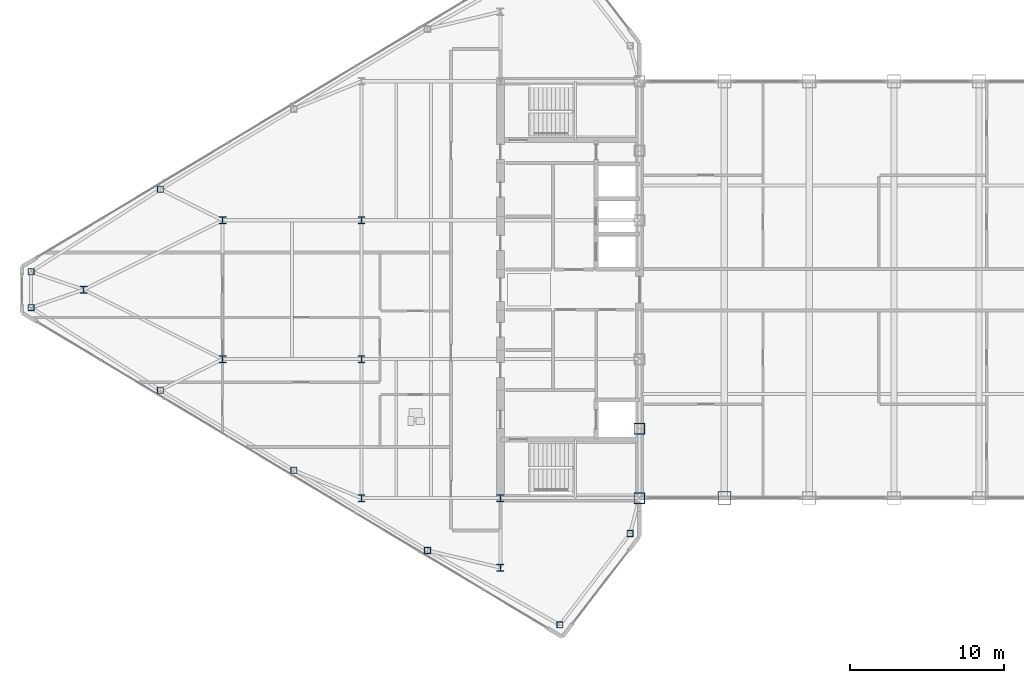
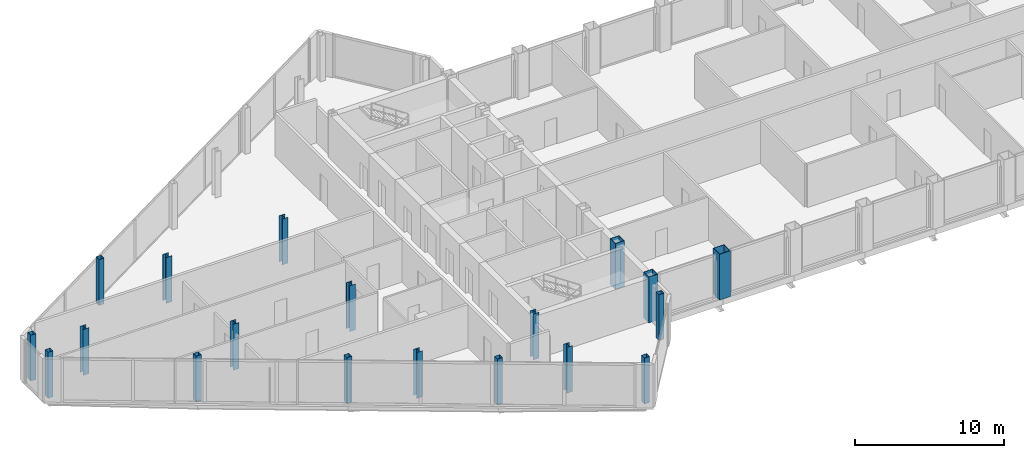
# One storey, part 1 of 29: 19 columns.
"""IFC4 building model written with IfcOpenShell, lengths in metres."""

import ifcopenshell
import ifcopenshell.guid

model = None  # the IFC model being written
_history = None  # IfcOwnerHistory: only IFC2X3 demands one
_inside = {}  # id of a spatial element -> (the spatial element, [elements in it])
_under = {}  # id of a project, library or spatial element -> (it, [spatial elements below it])
_declared = {}  # id of a project -> (the project, [libraries it declares])
_typed = {}  # id of a type object -> (the type object, [elements of that type])
_made_of = {}  # id of a material, layer set ... -> (it, [elements and type objects made of it])


def new_model(schema):
    """Start an empty IFC model of exactly this schema.

    Asked for "IFC4X3", IfcOpenShell would pick the latest addendum, in which some entities
    have other attributes; the version numbers below select the first issue.
    IFC2X3 requires an IfcOwnerHistory on every rooted entity: one is made here for all.
    """
    global model, _history
    if schema == "IFC4X3":
        model = ifcopenshell.file(schema_version=(4, 3, 0, 0))
    else:
        model = ifcopenshell.file(schema=schema)
    _inside.clear()
    _under.clear()
    _declared.clear()
    _typed.clear()
    _made_of.clear()
    _history = None
    if model.schema == "IFC2X3":
        org = make("IfcOrganization", Name="unknown")
        user = make(
            "IfcPersonAndOrganization",
            ThePerson=make("IfcPerson", FamilyName="unknown"),
            TheOrganization=org,
        )
        app = make(
            "IfcApplication",
            ApplicationDeveloper=org,
            Version="unknown",
            ApplicationFullName="unknown",
            ApplicationIdentifier="unknown",
        )
        _history = make(
            "IfcOwnerHistory",
            OwningUser=user,
            OwningApplication=app,
            ChangeAction="ADDED",
            CreationDate=0,
        )
    return model


def make(cls, **values):
    """One entity of the class cls with the attributes given. An attribute that is None is left unset."""
    return model.create_entity(
        cls, **{name: value for name, value in values.items() if value is not None}
    )


def rooted(cls, **values):
    """An entity with a GlobalId (a new one), such as an element, a storey or a relation."""
    return make(cls, GlobalId=ifcopenshell.guid.new(), OwnerHistory=_history, **values)


def si_unit(unit_type, name, prefix=None):
    """IfcSIUnit, for example si_unit("LENGTHUNIT", "METRE", prefix="MILLI")."""
    return make("IfcSIUnit", UnitType=unit_type, Prefix=prefix, Name=name)


def assignment(units):
    """IfcUnitAssignment: the units of a project."""
    return None if units is None else make("IfcUnitAssignment", Units=units)


def point(xyz):
    """IfcCartesianPoint."""
    return None if xyz is None else make("IfcCartesianPoint", Coordinates=xyz)


def direction(xyz):
    """IfcDirection."""
    return None if xyz is None else make("IfcDirection", DirectionRatios=xyz)


def frame(location, z_axis=None, x_axis=None):
    """IfcAxis2Placement3D, a coordinate frame: its origin and axes. An axis left out is left unset."""
    return make(
        "IfcAxis2Placement3D",
        Location=point(location),
        Axis=direction(z_axis),
        RefDirection=direction(x_axis),
    )


def frame_2d(location, x_axis=None):
    """IfcAxis2Placement2D, a coordinate frame in the plane: its origin and x axis."""
    return make(
        "IfcAxis2Placement2D", Location=point(location), RefDirection=direction(x_axis)
    )


def origin():
    """The frame at (0, 0, 0) with its axes left unset."""
    return frame((0.0, 0.0, 0.0))


def origin_2d():
    """The frame at (0, 0) in the plane with its x axis left unset."""
    return frame_2d((0.0, 0.0))


def place(relative_to, where):
    """IfcLocalPlacement: puts the frame where relative to a parent placement (None: the world)."""
    return make(
        "IfcLocalPlacement", PlacementRelTo=relative_to, RelativePlacement=where
    )


def context(
    kind, dimensions, precision=None, world=None, true_north=None, identifier=None
):
    """IfcGeometricRepresentationContext, for example the 3D "Model" context."""
    return make(
        "IfcGeometricRepresentationContext",
        ContextIdentifier=identifier,
        ContextType=kind,
        CoordinateSpaceDimension=dimensions,
        Precision=precision,
        WorldCoordinateSystem=world,
        TrueNorth=true_north,
    )


def subcontext(parent, identifier, kind, view, scale=None):
    """IfcGeometricRepresentationSubContext, for example "Body" below "Model"."""
    return make(
        "IfcGeometricRepresentationSubContext",
        ContextIdentifier=identifier,
        ContextType=kind,
        ParentContext=parent,
        TargetScale=scale,
        TargetView=view,
    )


def project(units=None, contexts=None):
    """IfcProject with its units and contexts."""
    return rooted(
        "IfcProject",
        Name="project",
        RepresentationContexts=contexts,
        UnitsInContext=assignment(units),
    )


def spatial(cls, under=None, at=None, **own):
    """A site, building, storey or space (cls), placed at a placement, below another one or the project."""
    s = rooted(cls, ObjectPlacement=at, **own)
    if under is not None:
        _under.setdefault(under.id(), (under, []))[1].append(s)
    return s


def profile(cls, at=None, kind="AREA", **sizes):
    """A parametric profile (cls). Its sizes go by their IFC names, for example OverallWidth=200.0."""
    return make(cls, ProfileType=kind, Position=at, **sizes)


def hollow_rectangle(**sizes):
    """IfcRectangleHollowProfileDef."""
    return profile("IfcRectangleHollowProfileDef", **sizes)


def i_section(**sizes):
    """IfcIShapeProfileDef."""
    return profile("IfcIShapeProfileDef", **sizes)


def extrude(swept, where, along, depth):
    """IfcExtrudedAreaSolid: the profile swept, set in the frame where, extruded along a direction by depth."""
    return make(
        "IfcExtrudedAreaSolid",
        SweptArea=swept,
        Position=where,
        ExtrudedDirection=direction(along),
        Depth=depth,
    )


def shape(context_of_items, identifier, shape_type, items):
    """IfcShapeRepresentation: the items that make up one representation, for example the "Body"."""
    return make(
        "IfcShapeRepresentation",
        ContextOfItems=context_of_items,
        RepresentationIdentifier=identifier,
        RepresentationType=shape_type,
        Items=items,
    )


def source(mapping_origin, context_of_items, identifier, shape_type, items):
    """IfcRepresentationMap: a shape defined once, which mapped items show again and again."""
    return make(
        "IfcRepresentationMap",
        MappingOrigin=mapping_origin,
        MappedRepresentation=shape(context_of_items, identifier, shape_type, items),
    )


def transform(
    local_origin,
    x_axis=None,
    y_axis=None,
    z_axis=None,
    scale=None,
    scale2=None,
    scale3=None,
    uniform=True,
):
    """IfcCartesianTransformationOperator3D, or its non-uniform kind. x_axis, y_axis, z_axis: its Axis1, 2, 3."""
    if uniform:
        return make(
            "IfcCartesianTransformationOperator3D",
            Axis1=direction(x_axis),
            Axis2=direction(y_axis),
            LocalOrigin=point(local_origin),
            Scale=scale,
            Axis3=direction(z_axis),
        )
    return make(
        "IfcCartesianTransformationOperator3DnonUniform",
        Axis1=direction(x_axis),
        Axis2=direction(y_axis),
        LocalOrigin=point(local_origin),
        Scale=scale,
        Axis3=direction(z_axis),
        Scale2=scale2,
        Scale3=scale3,
    )


def mapped(mapping_source, mapping_target):
    """IfcMappedItem: shows the shape of a source again, moved by a transform."""
    return make(
        "IfcMappedItem", MappingSource=mapping_source, MappingTarget=mapping_target
    )


def material(Name=None, Category=None):
    """IfcMaterial."""
    return make("IfcMaterial", Name=Name, Category=Category)


def material_profile(
    of_material, cross_section, Name=None, Category=None, Priority=None
):
    """IfcMaterialProfile: a cross section and its material."""
    return make(
        "IfcMaterialProfile",
        Name=Name,
        Material=of_material,
        Profile=cross_section,
        Priority=Priority,
        Category=Category,
    )


def profile_set(profiles, Name=None, composite=None):
    """IfcMaterialProfileSet."""
    return make(
        "IfcMaterialProfileSet",
        Name=Name,
        MaterialProfiles=profiles,
        CompositeProfile=composite,
    )


def made_of(thing, what):
    """Note that an element or type object is made of a material, layer set ...; save() writes the relation."""
    if what is not None:
        _made_of.setdefault(what.id(), (what, []))[1].append(thing)
    return thing


def type_object(cls, material=None, **own):
    """A type object (cls), such as IfcWallType, which elements share."""
    return made_of(rooted(cls, **own), material)


def type_shapes(of_type, sources):
    """Give a type object the sources (RepresentationMaps) that its elements show as mapped items."""
    of_type.RepresentationMaps = sources


def element(
    cls,
    number,
    at=None,
    inside=None,
    cuts=None,
    type_object=None,
    material=None,
    context=None,
    identifier="Body",
    shape_type=None,
    held_by="IfcProductDefinitionShape",
    body=None,
    shapes=None,
    **own,
):
    """One element of the class cls, such as IfcWall. Its Tag is "e" and its number.

    at: its placement. inside: the storey or other place that contains it. cuts: it is an
    opening in that element (IfcRelVoidsElement). A single representation is given by context,
    identifier, shape_type and body (its items); several are given by shapes. held_by: the class
    of the entity that holds the representations. save() writes the other relations.
    """
    e = rooted(cls, Tag="e%d" % number, ObjectPlacement=at, **own)
    if body is not None:
        shapes = [shape(context, identifier, shape_type, body)]
    if shapes is not None:
        e.Representation = make(held_by, Representations=shapes)
    if inside is not None:
        _inside.setdefault(inside.id(), (inside, []))[1].append(e)
    if cuts is not None:
        rooted(
            "IfcRelVoidsElement", RelatingBuildingElement=cuts, RelatedOpeningElement=e
        )
    if type_object is not None:
        _typed.setdefault(type_object.id(), (type_object, []))[1].append(e)
    return made_of(e, material)


def aggregate(whole, parts):
    """IfcRelAggregates: a whole, such as a stair, and the parts it consists of."""
    return rooted("IfcRelAggregates", RelatingObject=whole, RelatedObjects=parts)


def save(model, path):
    """Write the relations noted so far, then the file.

    IfcRelAggregates (storeys below a building ...), IfcRelContainedInSpatialStructure (elements
    in a storey), IfcRelDefinesByType, IfcRelAssociatesMaterial and IfcRelDeclares: one each for
    every whole, place, type object, material and project.
    """
    for whole, parts in _under.values():
        aggregate(whole, parts)
    for where, things in _inside.values():
        rooted(
            "IfcRelContainedInSpatialStructure",
            RelatedElements=things,
            RelatingStructure=where,
        )
    for kind, things in _typed.values():
        rooted("IfcRelDefinesByType", RelatedObjects=things, RelatingType=kind)
    for what, things in _made_of.values():
        rooted("IfcRelAssociatesMaterial", RelatedObjects=things, RelatingMaterial=what)
    for by, libraries in _declared.values():
        rooted("IfcRelDeclares", RelatingContext=by, RelatedDefinitions=libraries)
    model.write(path)


model = new_model("IFC4")

# Units and contexts
model_context = context("Model", 3, precision=1e-05, world=origin(), true_north=direction((0.0, 1.0)))
body_context = subcontext(model_context, "Body", "Model", "MODEL_VIEW")
ifc_project = project(units=[si_unit("LENGTHUNIT", "METRE"), si_unit("AREAUNIT", "SQUARE_METRE"), si_unit("VOLUMEUNIT", "CUBIC_METRE"), si_unit("PLANEANGLEUNIT", "RADIAN"), si_unit("MASSUNIT", "GRAM", prefix="KILO")], contexts=[model_context])

# Site, building, storey
site_placement = place(None, origin())
site = spatial("IfcSite", under=ifc_project, at=site_placement, CompositionType="ELEMENT")
building_placement = place(site_placement, origin())
building = spatial("IfcBuilding", under=site, at=building_placement, Name="Seokmaru Belvedere", CompositionType="ELEMENT")
storey_placement = place(building_placement, frame((0.0, 0.0, 254.39990234375)))
storey = spatial("IfcBuildingStorey", under=building, at=storey_placement, Name="L67", CompositionType="ELEMENT", Elevation=254.39990234375)

# Columns
ifc_material_1 = material(Name="Steel SM355 (355 MPa)", Category="steel")
ifc_material_profile_1 = material_profile(ifc_material_1, hollow_rectangle(XDim=0.699951171875, YDim=0.699951171875, WallThickness=0.030029296875, at=origin_2d()), Name="BOX-700x700x30")
ifc_profile_set_1 = profile_set([ifc_material_profile_1], Name="Steel SM355 (355 MPa)")
column_type_1 = type_object("IfcColumnType", Name="Upper Spine Column BOX-700", PredefinedType="COLUMN", material=ifc_profile_set_1)
shared_shape_1 = source(origin(), body_context, "Body", "SweptSolid", [
    extrude(hollow_rectangle(XDim=0.699951171875, YDim=0.699951171875, WallThickness=0.030029296875, at=origin_2d()), origin(), (0.0, 0.0, 1.0), 3.75),
])
type_shapes(column_type_1, [shared_shape_1])
for number, where, z_axis, x_axis, name in (
    (1, (-27.5, -13.5, 0.0), (0.0, 0.0, 1.0), (1.0, 0.0, 0.0), "L67 Column WS1"),
    (2, (-27.5, -9.0, 0.0), (0.0, 0.0, 1.0), (1.0, 0.0, 0.0), "L67 Column WS2"),
):
    element("IfcColumn", number, at=place(storey_placement, frame(where, z_axis=z_axis, x_axis=x_axis)), inside=storey, type_object=column_type_1, Name=name, PredefinedType="COLUMN", context=body_context, shape_type="MappedRepresentation", body=[
        mapped(shared_shape_1, transform((0.0, 0.0, 0.0), scale=1.0)),
    ])
ifc_material_profile_2 = material_profile(ifc_material_1, i_section(OverallWidth=0.449951171875, OverallDepth=0.449951171875, WebThickness=0.01611328125, FlangeThickness=0.02490234375, at=origin_2d()), Name="H-450x450x16x25")
ifc_profile_set_2 = profile_set([ifc_material_profile_2], Name="Steel SM355 (355 MPa)")
column_type_2 = type_object("IfcColumnType", Name="Sky-Gate Column H-450", PredefinedType="COLUMN", material=ifc_profile_set_2)
shared_shape_2 = source(origin(), body_context, "Body", "SweptSolid", [
    extrude(i_section(OverallWidth=0.449951171875, OverallDepth=0.449951171875, WebThickness=0.01611328125, FlangeThickness=0.02490234375, at=origin_2d()), origin(), (0.0, 0.0, 1.0), 3.75),
])
type_shapes(column_type_2, [shared_shape_2])
for number, where, z_axis, x_axis, name in (
    (3, (-36.5, -18.0, 0.0), (0.0, 0.0, 1.0), (1.0, 0.0, 0.0), "L67 Column WC1"),
    (4, (-36.5, -13.5, 0.0), (0.0, 0.0, 1.0), (1.0, 0.0, 0.0), "L67 Column WC2"),
    (5, (-45.5, -13.5, 0.0), (0.0, 0.0, 1.0), (1.0, 0.0, 0.0), "L67 Column WG5_1"),
    (6, (-45.5, -4.5, 0.0), (0.0, 0.0, 1.0), (1.0, 0.0, 0.0), "L67 Column WG5_2"),
    (7, (-45.5, 4.5, 0.0), (0.0, 0.0, 1.0), (1.0, 0.0, 0.0), "L67 Column WG5_3"),
    (8, (-54.5, -4.5, 0.0), (0.0, 0.0, 1.0), (1.0, 0.0, 0.0), "L67 Column WG4P_1"),
    (9, (-54.5, 4.5, 0.0), (0.0, 0.0, 1.0), (1.0, 0.0, 0.0), "L67 Column WG4P_2"),
    (10, (-63.5, 0.0, 0.0), (0.0, 0.0, 1.0), (1.0, 0.0, 0.0), "L67 Column WG3P_1"),
):
    element("IfcColumn", number, at=place(storey_placement, frame(where, z_axis=z_axis, x_axis=x_axis)), inside=storey, type_object=column_type_2, Name=name, PredefinedType="COLUMN", context=body_context, shape_type="MappedRepresentation", body=[
        mapped(shared_shape_2, transform((0.0, 0.0, 0.0), scale=1.0)),
    ])
ifc_material_profile_3 = material_profile(ifc_material_1, hollow_rectangle(XDim=0.39990234375, YDim=0.39990234375, WallThickness=0.01611328125, at=origin_2d()), Name="HSS-400x400x16")
ifc_profile_set_3 = profile_set([ifc_material_profile_3], Name="Steel SM355 (355 MPa)")
column_type_3 = type_object("IfcColumnType", Name="Perimeter Facet Column HSS-400", PredefinedType="COLUMN", material=ifc_profile_set_3)
shared_shape_3 = source(origin(), body_context, "Body", "SweptSolid", [
    extrude(hollow_rectangle(XDim=0.39990234375, YDim=0.39990234375, WallThickness=0.01611328125, at=origin_2d()), origin(), (0.0, 0.0, 1.0), 3.75),
])
type_shapes(column_type_3, [shared_shape_3])
for number, where, z_axis, x_axis, name in (
    (11, (-28.10009765625, -15.7958984375, 0.0), (0.0, 0.0, 1.0), (1.0, 0.0, 0.0), "L67 Column WF1"),
    (12, (-66.89990234375, 1.160400390625, 0.0), (0.0, 0.0, 1.0), (1.0, 0.0, 0.0), "L67 Column WF4"),
    (13, (-66.89990234375, -1.160400390625, 0.0), (0.0, 0.0, 1.0), (1.0, 0.0, 0.0), "L67 Column WF5"),
    (14, (-32.649658203125, -21.71044921875, 0.0), (0.0, 0.0, 1.0), (1.0, 0.0, 0.0), "L67 Column WF6"),
    (15, (-41.229736328125, -16.888916015625, 0.0), (0.0, 0.0, 1.0), (1.0, 0.0, 0.0), "L67 Column WFLK_S1"),
    (16, (-49.8798828125, -11.698974609375, 0.0), (0.0, 0.0, 1.0), (1.0, 0.0, 0.0), "L67 Column WFLK_S2"),
    (17, (-58.530029296875, -6.5087890625, 0.0), (0.0, 0.0, 1.0), (1.0, 0.0, 0.0), "L67 Column WFLK_S3"),
    (18, (-58.530029296875, 6.5087890625, 0.0), (0.0, 0.0, 1.0), (1.0, 0.0, 0.0), "L67 Column WFLK_N3"),
):
    element("IfcColumn", number, at=place(storey_placement, frame(where, z_axis=z_axis, x_axis=x_axis)), inside=storey, type_object=column_type_3, Name=name, PredefinedType="COLUMN", context=body_context, shape_type="MappedRepresentation", body=[
        mapped(shared_shape_3, transform((0.0, 0.0, 0.0), scale=1.0)),
    ])
ifc_material_2 = material(Name="Steel HSA650 (650 MPa)", Category="steel")
ifc_material_profile_4 = material_profile(ifc_material_2, hollow_rectangle(XDim=0.85009765625, YDim=0.85009765625, WallThickness=0.035888671875, at=origin_2d()), Name="BOX-850x850x36")
ifc_profile_set_4 = profile_set([ifc_material_profile_4], Name="Steel HSA650 (650 MPa)")
column_type_4 = type_object("IfcColumnType", Name="Portal Spine Column BOX-850", PredefinedType="COLUMN", material=ifc_profile_set_4)
shared_shape_4 = source(origin(), body_context, "Body", "SweptSolid", [
    extrude(hollow_rectangle(XDim=0.85009765625, YDim=0.85009765625, WallThickness=0.035888671875, at=origin_2d()), origin(), (0.0, 0.0, 1.0), 3.75),
])
type_shapes(column_type_4, [shared_shape_4])
column_placement = place(storey_placement, frame((-22.0, -13.5, 0.0), z_axis=(0.0, 0.0, 1.0), x_axis=(1.0, 0.0, 0.0)))
element("IfcColumn", 19, at=column_placement, inside=storey, type_object=column_type_4, Name="L67 Column BRS_1", PredefinedType="COLUMN", context=body_context, shape_type="MappedRepresentation", body=[
    mapped(shared_shape_4, transform((0.0, 0.0, 0.0), scale=1.0)),
])

save(model, "model.ifc")
